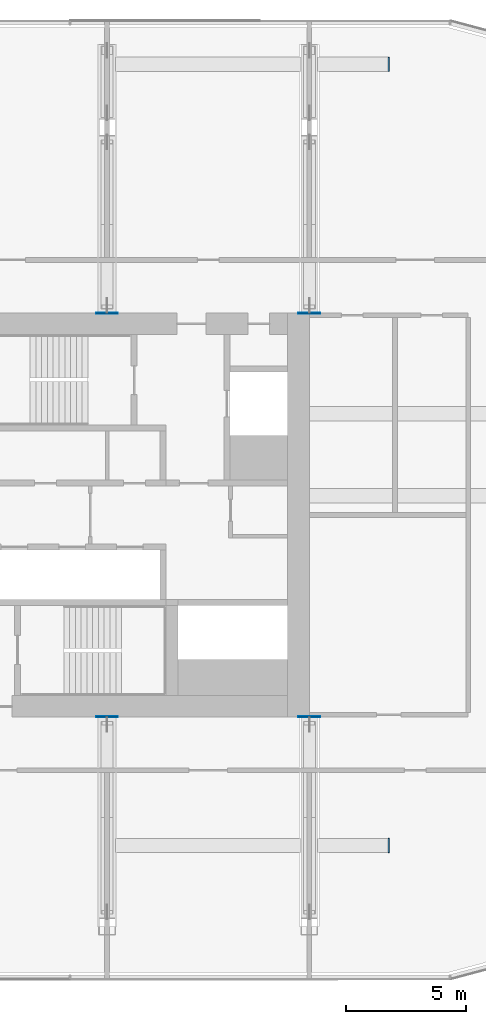
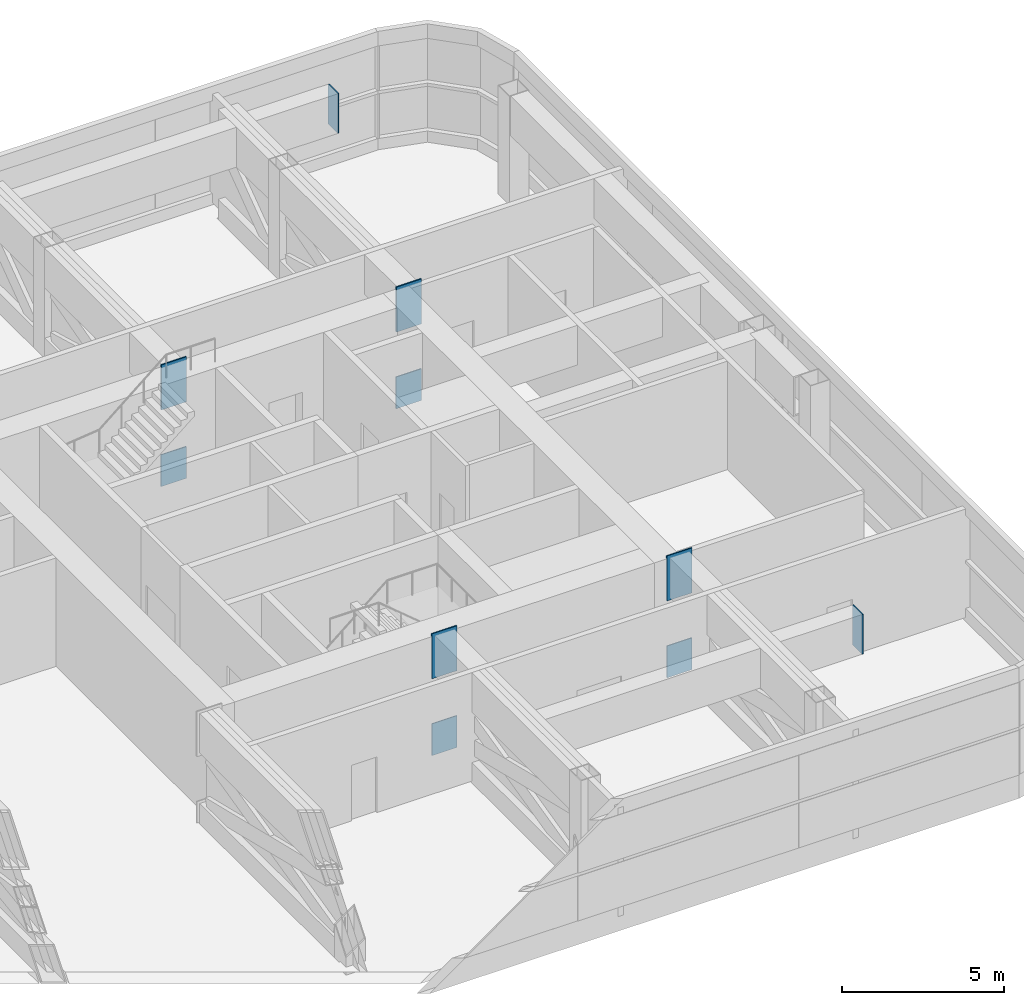
# One storey, part 23 of 33: 10 discrete accessories.
"""IFC4 building model written with IfcOpenShell, lengths in metres."""

import ifcopenshell
import ifcopenshell.guid

model = None  # the IFC model being written
_history = None  # IfcOwnerHistory: only IFC2X3 demands one
_inside = {}  # id of a spatial element -> (the spatial element, [elements in it])
_under = {}  # id of a project, library or spatial element -> (it, [spatial elements below it])
_declared = {}  # id of a project -> (the project, [libraries it declares])
_typed = {}  # id of a type object -> (the type object, [elements of that type])
_made_of = {}  # id of a material, layer set ... -> (it, [elements and type objects made of it])


def new_model(schema):
    """Start an empty IFC model of exactly this schema.

    Asked for "IFC4X3", IfcOpenShell would pick the latest addendum, in which some entities
    have other attributes; the version numbers below select the first issue.
    IFC2X3 requires an IfcOwnerHistory on every rooted entity: one is made here for all.
    """
    global model, _history
    if schema == "IFC4X3":
        model = ifcopenshell.file(schema_version=(4, 3, 0, 0))
    else:
        model = ifcopenshell.file(schema=schema)
    _inside.clear()
    _under.clear()
    _declared.clear()
    _typed.clear()
    _made_of.clear()
    _history = None
    if model.schema == "IFC2X3":
        org = make("IfcOrganization", Name="unknown")
        user = make(
            "IfcPersonAndOrganization",
            ThePerson=make("IfcPerson", FamilyName="unknown"),
            TheOrganization=org,
        )
        app = make(
            "IfcApplication",
            ApplicationDeveloper=org,
            Version="unknown",
            ApplicationFullName="unknown",
            ApplicationIdentifier="unknown",
        )
        _history = make(
            "IfcOwnerHistory",
            OwningUser=user,
            OwningApplication=app,
            ChangeAction="ADDED",
            CreationDate=0,
        )
    return model


def make(cls, **values):
    """One entity of the class cls with the attributes given. An attribute that is None is left unset."""
    return model.create_entity(
        cls, **{name: value for name, value in values.items() if value is not None}
    )


def rooted(cls, **values):
    """An entity with a GlobalId (a new one), such as an element, a storey or a relation."""
    return make(cls, GlobalId=ifcopenshell.guid.new(), OwnerHistory=_history, **values)


def si_unit(unit_type, name, prefix=None):
    """IfcSIUnit, for example si_unit("LENGTHUNIT", "METRE", prefix="MILLI")."""
    return make("IfcSIUnit", UnitType=unit_type, Prefix=prefix, Name=name)


def assignment(units):
    """IfcUnitAssignment: the units of a project."""
    return None if units is None else make("IfcUnitAssignment", Units=units)


def point(xyz):
    """IfcCartesianPoint."""
    return None if xyz is None else make("IfcCartesianPoint", Coordinates=xyz)


def direction(xyz):
    """IfcDirection."""
    return None if xyz is None else make("IfcDirection", DirectionRatios=xyz)


def frame(location, z_axis=None, x_axis=None):
    """IfcAxis2Placement3D, a coordinate frame: its origin and axes. An axis left out is left unset."""
    return make(
        "IfcAxis2Placement3D",
        Location=point(location),
        Axis=direction(z_axis),
        RefDirection=direction(x_axis),
    )


def frame_2d(location, x_axis=None):
    """IfcAxis2Placement2D, a coordinate frame in the plane: its origin and x axis."""
    return make(
        "IfcAxis2Placement2D", Location=point(location), RefDirection=direction(x_axis)
    )


def origin():
    """The frame at (0, 0, 0) with its axes left unset."""
    return frame((0.0, 0.0, 0.0))


def origin_2d():
    """The frame at (0, 0) in the plane with its x axis left unset."""
    return frame_2d((0.0, 0.0))


def place(relative_to, where):
    """IfcLocalPlacement: puts the frame where relative to a parent placement (None: the world)."""
    return make(
        "IfcLocalPlacement", PlacementRelTo=relative_to, RelativePlacement=where
    )


def context(
    kind, dimensions, precision=None, world=None, true_north=None, identifier=None
):
    """IfcGeometricRepresentationContext, for example the 3D "Model" context."""
    return make(
        "IfcGeometricRepresentationContext",
        ContextIdentifier=identifier,
        ContextType=kind,
        CoordinateSpaceDimension=dimensions,
        Precision=precision,
        WorldCoordinateSystem=world,
        TrueNorth=true_north,
    )


def subcontext(parent, identifier, kind, view, scale=None):
    """IfcGeometricRepresentationSubContext, for example "Body" below "Model"."""
    return make(
        "IfcGeometricRepresentationSubContext",
        ContextIdentifier=identifier,
        ContextType=kind,
        ParentContext=parent,
        TargetScale=scale,
        TargetView=view,
    )


def project(units=None, contexts=None):
    """IfcProject with its units and contexts."""
    return rooted(
        "IfcProject",
        Name="project",
        RepresentationContexts=contexts,
        UnitsInContext=assignment(units),
    )


def spatial(cls, under=None, at=None, **own):
    """A site, building, storey or space (cls), placed at a placement, below another one or the project."""
    s = rooted(cls, ObjectPlacement=at, **own)
    if under is not None:
        _under.setdefault(under.id(), (under, []))[1].append(s)
    return s


def profile(cls, at=None, kind="AREA", **sizes):
    """A parametric profile (cls). Its sizes go by their IFC names, for example OverallWidth=200.0."""
    return make(cls, ProfileType=kind, Position=at, **sizes)


def rectangle(**sizes):
    """IfcRectangleProfileDef."""
    return profile("IfcRectangleProfileDef", **sizes)


def extrude(swept, where, along, depth):
    """IfcExtrudedAreaSolid: the profile swept, set in the frame where, extruded along a direction by depth."""
    return make(
        "IfcExtrudedAreaSolid",
        SweptArea=swept,
        Position=where,
        ExtrudedDirection=direction(along),
        Depth=depth,
    )


def shape(context_of_items, identifier, shape_type, items):
    """IfcShapeRepresentation: the items that make up one representation, for example the "Body"."""
    return make(
        "IfcShapeRepresentation",
        ContextOfItems=context_of_items,
        RepresentationIdentifier=identifier,
        RepresentationType=shape_type,
        Items=items,
    )


def material(Name=None, Category=None):
    """IfcMaterial."""
    return make("IfcMaterial", Name=Name, Category=Category)


def material_profile(
    of_material, cross_section, Name=None, Category=None, Priority=None
):
    """IfcMaterialProfile: a cross section and its material."""
    return make(
        "IfcMaterialProfile",
        Name=Name,
        Material=of_material,
        Profile=cross_section,
        Priority=Priority,
        Category=Category,
    )


def profile_set(profiles, Name=None, composite=None):
    """IfcMaterialProfileSet."""
    return make(
        "IfcMaterialProfileSet",
        Name=Name,
        MaterialProfiles=profiles,
        CompositeProfile=composite,
    )


def made_of(thing, what):
    """Note that an element or type object is made of a material, layer set ...; save() writes the relation."""
    if what is not None:
        _made_of.setdefault(what.id(), (what, []))[1].append(thing)
    return thing


def type_object(cls, material=None, **own):
    """A type object (cls), such as IfcWallType, which elements share."""
    return made_of(rooted(cls, **own), material)


def element(
    cls,
    number,
    at=None,
    inside=None,
    cuts=None,
    type_object=None,
    material=None,
    context=None,
    identifier="Body",
    shape_type=None,
    held_by="IfcProductDefinitionShape",
    body=None,
    shapes=None,
    **own,
):
    """One element of the class cls, such as IfcWall. Its Tag is "e" and its number.

    at: its placement. inside: the storey or other place that contains it. cuts: it is an
    opening in that element (IfcRelVoidsElement). A single representation is given by context,
    identifier, shape_type and body (its items); several are given by shapes. held_by: the class
    of the entity that holds the representations. save() writes the other relations.
    """
    e = rooted(cls, Tag="e%d" % number, ObjectPlacement=at, **own)
    if body is not None:
        shapes = [shape(context, identifier, shape_type, body)]
    if shapes is not None:
        e.Representation = make(held_by, Representations=shapes)
    if inside is not None:
        _inside.setdefault(inside.id(), (inside, []))[1].append(e)
    if cuts is not None:
        rooted(
            "IfcRelVoidsElement", RelatingBuildingElement=cuts, RelatedOpeningElement=e
        )
    if type_object is not None:
        _typed.setdefault(type_object.id(), (type_object, []))[1].append(e)
    return made_of(e, material)


def aggregate(whole, parts):
    """IfcRelAggregates: a whole, such as a stair, and the parts it consists of."""
    return rooted("IfcRelAggregates", RelatingObject=whole, RelatedObjects=parts)


def save(model, path):
    """Write the relations noted so far, then the file.

    IfcRelAggregates (storeys below a building ...), IfcRelContainedInSpatialStructure (elements
    in a storey), IfcRelDefinesByType, IfcRelAssociatesMaterial and IfcRelDeclares: one each for
    every whole, place, type object, material and project.
    """
    for whole, parts in _under.values():
        aggregate(whole, parts)
    for where, things in _inside.values():
        rooted(
            "IfcRelContainedInSpatialStructure",
            RelatedElements=things,
            RelatingStructure=where,
        )
    for kind, things in _typed.values():
        rooted("IfcRelDefinesByType", RelatedObjects=things, RelatingType=kind)
    for what, things in _made_of.values():
        rooted("IfcRelAssociatesMaterial", RelatedObjects=things, RelatingMaterial=what)
    for by, libraries in _declared.values():
        rooted("IfcRelDeclares", RelatingContext=by, RelatedDefinitions=libraries)
    model.write(path)


model = new_model("IFC4")

# Units and contexts
model_context = context("Model", 3, precision=1e-05, world=origin(), true_north=direction((0.0, 1.0)))
body_context = subcontext(model_context, "Body", "Model", "MODEL_VIEW")
ifc_project = project(units=[si_unit("LENGTHUNIT", "METRE"), si_unit("AREAUNIT", "SQUARE_METRE"), si_unit("VOLUMEUNIT", "CUBIC_METRE"), si_unit("PLANEANGLEUNIT", "RADIAN"), si_unit("MASSUNIT", "GRAM", prefix="KILO")], contexts=[model_context])

# Site, building, storey
site_placement = place(None, origin())
site = spatial("IfcSite", under=ifc_project, at=site_placement, CompositionType="ELEMENT")
building_placement = place(site_placement, origin())
building = spatial("IfcBuilding", under=site, at=building_placement, Name="Hakoniwa Tower and Hamabe Station Hall", CompositionType="ELEMENT")
storey_placement = place(building_placement, frame((0.0, 0.0, 175.800048828125)))
storey = spatial("IfcBuildingStorey", under=building, at=storey_placement, Name="L50", CompositionType="ELEMENT", Elevation=175.800048828125)

# Discrete accessories
ifc_material_1 = material(Name="Steel SN490C", Category="steel")
ifc_material_profile_1 = material_profile(ifc_material_1, rectangle(XDim=0.89990234375, YDim=1.199951171875, at=origin_2d()), Name="CAST-IN PLATE BX-1000x700x40")
ifc_profile_set_1 = profile_set([ifc_material_profile_1], Name="Steel SN490C")
discrete_accessory_type_1 = type_object("IfcDiscreteAccessoryType", Name="CAST-IN PLATE BX-1000x700x40", PredefinedType="ANCHORPLATE", material=ifc_profile_set_1)
for number, where, z_axis, x_axis, name in (
    (1, (25.199951171875, -8.364990234375, 0.199951171875), (0.0, -1.0, 0.0), (1.0, 0.0, 0.0), "Cast-in plate T3-16-BC01"),
    (2, (25.199951171875, 8.364990234375, 0.199951171875), (0.0, 1.0, 0.0), (-1.0, 0.0, 0.0), "Cast-in plate T3-17-BC01"),
    (3, (33.60009765625, -8.364990234375, 0.199951171875), (0.0, -1.0, 0.0), (1.0, 0.0, 0.0), "Cast-in plate T3-18-BC01"),
    (4, (33.60009765625, 8.364990234375, 0.199951171875), (0.0, 1.0, 0.0), (-1.0, 0.0, 0.0), "Cast-in plate T3-19-BC01"),
):
    element("IfcDiscreteAccessory", number, at=place(storey_placement, frame(where, z_axis=z_axis, x_axis=x_axis)), inside=storey, type_object=discrete_accessory_type_1, Name=name, PredefinedType="ANCHORPLATE", context=body_context, shape_type="SweptSolid", body=[
        extrude(rectangle(XDim=0.89990234375, YDim=1.199951171875, at=origin_2d()), origin(), (0.0, 0.0, 1.0), 0.034912109375),
    ])
ifc_material_2 = material(Name="Steel SN490C", Category="steel")
ifc_material_profile_2 = material_profile(ifc_material_2, rectangle(XDim=0.89990234375, YDim=1.699951171875, at=origin_2d()), Name="CAST-IN PLATE BX-1500x700x55")
ifc_profile_set_2 = profile_set([ifc_material_profile_2], Name="Steel SN490C")
discrete_accessory_type_2 = type_object("IfcDiscreteAccessoryType", Name="CAST-IN PLATE BX-1500x700x55", PredefinedType="ANCHORPLATE", material=ifc_profile_set_2)
for number, where, z_axis, x_axis, name in (
    (5, (25.199951171875, -8.35498046875, 3.349853515625), (0.0, -1.0, 0.0), (1.0, 0.0, 0.0), "Cast-in plate T3-16-TC01"),
    (6, (25.199951171875, 8.35498046875, 3.349853515625), (0.0, 1.0, 0.0), (-1.0, 0.0, 0.0), "Cast-in plate T3-17-TC01"),
    (7, (33.60009765625, -8.35498046875, 3.349853515625), (0.0, -1.0, 0.0), (1.0, 0.0, 0.0), "Cast-in plate T3-18-TC01"),
    (8, (33.60009765625, 8.35498046875, 3.349853515625), (0.0, 1.0, 0.0), (-1.0, 0.0, 0.0), "Cast-in plate T3-19-TC01"),
):
    element("IfcDiscreteAccessory", number, at=place(storey_placement, frame(where, z_axis=z_axis, x_axis=x_axis)), inside=storey, type_object=discrete_accessory_type_2, Name=name, PredefinedType="ANCHORPLATE", context=body_context, shape_type="SweptSolid", body=[
        extrude(rectangle(XDim=0.89990234375, YDim=1.699951171875, at=origin_2d()), origin(), (0.0, 0.0, 1.0), 0.044921875),
    ])
ifc_material_3 = material(Name="Steel SN490C", Category="steel")
ifc_material_profile_3 = material_profile(ifc_material_3, rectangle(XDim=0.60009765625, YDim=1.5, at=origin_2d()), Name="END CAP PLATE BX-1500x600x55")
ifc_profile_set_3 = profile_set([ifc_material_profile_3], Name="Steel SN490C")
discrete_accessory_type_3 = type_object("IfcDiscreteAccessoryType", Name="END CAP PLATE BX-1500x600x55", PredefinedType="USERDEFINED", material=ifc_profile_set_3)
for number, where, z_axis, x_axis, name in (
    (9, (36.8779296875, -13.72802734375, 3.349853515625), (1.0, 0.0, 0.0), (0.0, 1.0, 0.0), "End cap plate L50-XG2"),
    (10, (36.8779296875, 18.72802734375, 3.349853515625), (1.0, 0.0, 0.0), (0.0, 1.0, 0.0), "End cap plate L50-XG8"),
):
    element("IfcDiscreteAccessory", number, at=place(storey_placement, frame(where, z_axis=z_axis, x_axis=x_axis)), inside=storey, type_object=discrete_accessory_type_3, Name=name, ObjectType="END CAP PLATE", PredefinedType="USERDEFINED", context=body_context, shape_type="SweptSolid", body=[
        extrude(rectangle(XDim=0.60009765625, YDim=1.5, at=origin_2d()), origin(), (0.0, 0.0, 1.0), 0.045166015625),
    ])

save(model, "model.ifc")
